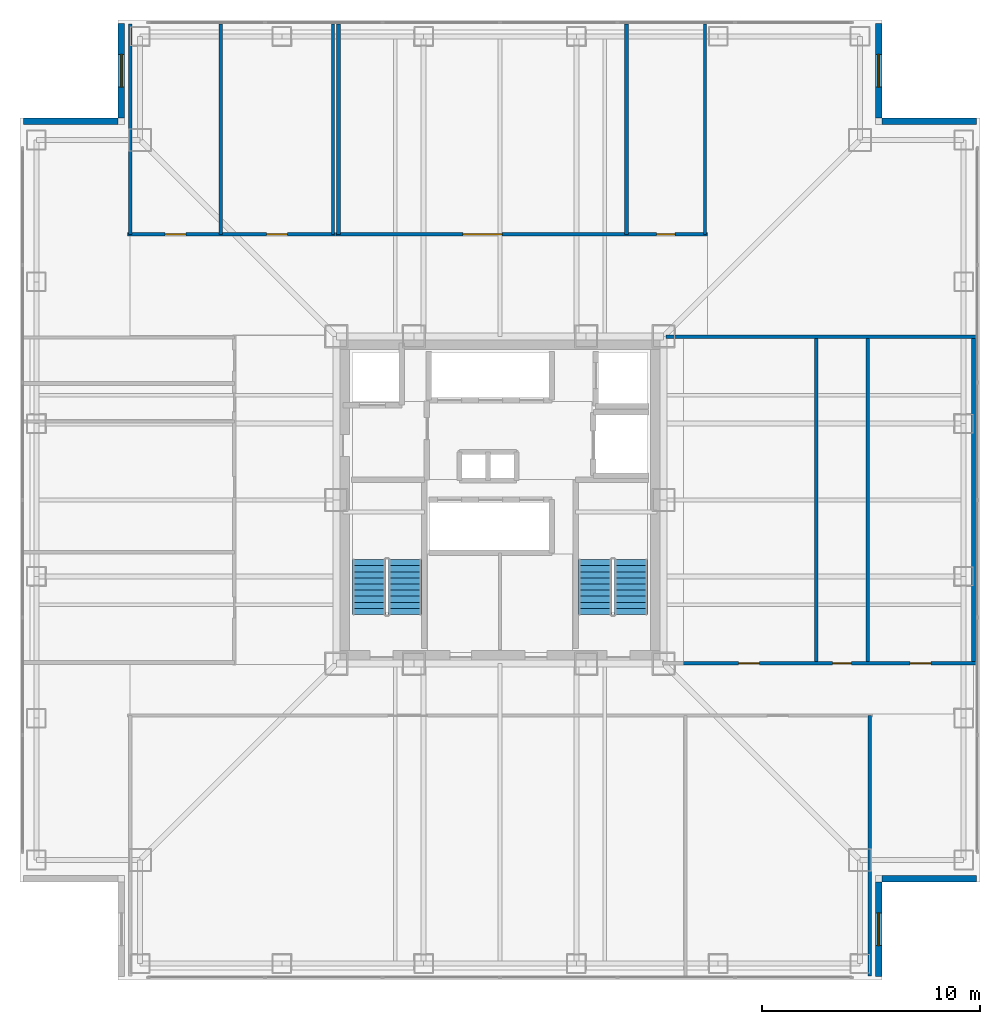
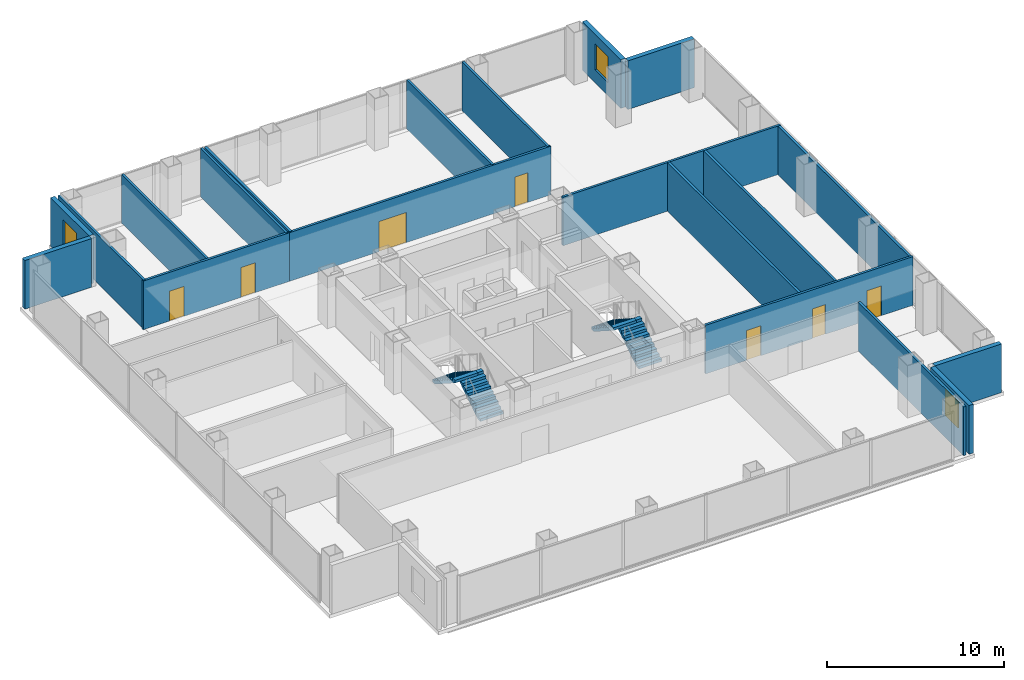
# One storey, part 11 of 14: 20 walls, 7 doors, 4 stair flights, 3 windows, 10 openings, 2 elements without a shape of their own.
"""IFC4 building model written with IfcOpenShell, lengths in metres."""

import ifcopenshell
import ifcopenshell.guid

model = None  # the IFC model being written
_history = None  # IfcOwnerHistory: only IFC2X3 demands one
_inside = {}  # id of a spatial element -> (the spatial element, [elements in it])
_under = {}  # id of a project, library or spatial element -> (it, [spatial elements below it])
_declared = {}  # id of a project -> (the project, [libraries it declares])
_typed = {}  # id of a type object -> (the type object, [elements of that type])
_made_of = {}  # id of a material, layer set ... -> (it, [elements and type objects made of it])


def new_model(schema):
    """Start an empty IFC model of exactly this schema.

    Asked for "IFC4X3", IfcOpenShell would pick the latest addendum, in which some entities
    have other attributes; the version numbers below select the first issue.
    IFC2X3 requires an IfcOwnerHistory on every rooted entity: one is made here for all.
    """
    global model, _history
    if schema == "IFC4X3":
        model = ifcopenshell.file(schema_version=(4, 3, 0, 0))
    else:
        model = ifcopenshell.file(schema=schema)
    _inside.clear()
    _under.clear()
    _declared.clear()
    _typed.clear()
    _made_of.clear()
    _history = None
    if model.schema == "IFC2X3":
        org = make("IfcOrganization", Name="unknown")
        user = make(
            "IfcPersonAndOrganization",
            ThePerson=make("IfcPerson", FamilyName="unknown"),
            TheOrganization=org,
        )
        app = make(
            "IfcApplication",
            ApplicationDeveloper=org,
            Version="unknown",
            ApplicationFullName="unknown",
            ApplicationIdentifier="unknown",
        )
        _history = make(
            "IfcOwnerHistory",
            OwningUser=user,
            OwningApplication=app,
            ChangeAction="ADDED",
            CreationDate=0,
        )
    return model


def make(cls, **values):
    """One entity of the class cls with the attributes given. An attribute that is None is left unset."""
    return model.create_entity(
        cls, **{name: value for name, value in values.items() if value is not None}
    )


def rooted(cls, **values):
    """An entity with a GlobalId (a new one), such as an element, a storey or a relation."""
    return make(cls, GlobalId=ifcopenshell.guid.new(), OwnerHistory=_history, **values)


def si_unit(unit_type, name, prefix=None):
    """IfcSIUnit, for example si_unit("LENGTHUNIT", "METRE", prefix="MILLI")."""
    return make("IfcSIUnit", UnitType=unit_type, Prefix=prefix, Name=name)


def assignment(units):
    """IfcUnitAssignment: the units of a project."""
    return None if units is None else make("IfcUnitAssignment", Units=units)


def point(xyz):
    """IfcCartesianPoint."""
    return None if xyz is None else make("IfcCartesianPoint", Coordinates=xyz)


def direction(xyz):
    """IfcDirection."""
    return None if xyz is None else make("IfcDirection", DirectionRatios=xyz)


def frame(location, z_axis=None, x_axis=None):
    """IfcAxis2Placement3D, a coordinate frame: its origin and axes. An axis left out is left unset."""
    return make(
        "IfcAxis2Placement3D",
        Location=point(location),
        Axis=direction(z_axis),
        RefDirection=direction(x_axis),
    )


def frame_2d(location, x_axis=None):
    """IfcAxis2Placement2D, a coordinate frame in the plane: its origin and x axis."""
    return make(
        "IfcAxis2Placement2D", Location=point(location), RefDirection=direction(x_axis)
    )


def origin():
    """The frame at (0, 0, 0) with its axes left unset."""
    return frame((0.0, 0.0, 0.0))


def place(relative_to, where):
    """IfcLocalPlacement: puts the frame where relative to a parent placement (None: the world)."""
    return make(
        "IfcLocalPlacement", PlacementRelTo=relative_to, RelativePlacement=where
    )


def context(
    kind, dimensions, precision=None, world=None, true_north=None, identifier=None
):
    """IfcGeometricRepresentationContext, for example the 3D "Model" context."""
    return make(
        "IfcGeometricRepresentationContext",
        ContextIdentifier=identifier,
        ContextType=kind,
        CoordinateSpaceDimension=dimensions,
        Precision=precision,
        WorldCoordinateSystem=world,
        TrueNorth=true_north,
    )


def subcontext(parent, identifier, kind, view, scale=None):
    """IfcGeometricRepresentationSubContext, for example "Body" below "Model"."""
    return make(
        "IfcGeometricRepresentationSubContext",
        ContextIdentifier=identifier,
        ContextType=kind,
        ParentContext=parent,
        TargetScale=scale,
        TargetView=view,
    )


def project(units=None, contexts=None):
    """IfcProject with its units and contexts."""
    return rooted(
        "IfcProject",
        Name="project",
        RepresentationContexts=contexts,
        UnitsInContext=assignment(units),
    )


def spatial(cls, under=None, at=None, **own):
    """A site, building, storey or space (cls), placed at a placement, below another one or the project."""
    s = rooted(cls, ObjectPlacement=at, **own)
    if under is not None:
        _under.setdefault(under.id(), (under, []))[1].append(s)
    return s


def polyline(points):
    """IfcPolyline through the points."""
    return make("IfcPolyline", Points=[point(p) for p in points])


def profile(cls, at=None, kind="AREA", **sizes):
    """A parametric profile (cls). Its sizes go by their IFC names, for example OverallWidth=200.0."""
    return make(cls, ProfileType=kind, Position=at, **sizes)


def rectangle(**sizes):
    """IfcRectangleProfileDef."""
    return profile("IfcRectangleProfileDef", **sizes)


def outline(outer, holes=None, kind="AREA"):
    """IfcArbitraryClosedProfileDef: a profile drawn as a closed curve; with holes, ...WithVoids."""
    if holes is None:
        return make("IfcArbitraryClosedProfileDef", ProfileType=kind, OuterCurve=outer)
    return make(
        "IfcArbitraryProfileDefWithVoids",
        ProfileType=kind,
        OuterCurve=outer,
        InnerCurves=holes,
    )


def extrude(swept, where, along, depth):
    """IfcExtrudedAreaSolid: the profile swept, set in the frame where, extruded along a direction by depth."""
    return make(
        "IfcExtrudedAreaSolid",
        SweptArea=swept,
        Position=where,
        ExtrudedDirection=direction(along),
        Depth=depth,
    )


def shape(context_of_items, identifier, shape_type, items):
    """IfcShapeRepresentation: the items that make up one representation, for example the "Body"."""
    return make(
        "IfcShapeRepresentation",
        ContextOfItems=context_of_items,
        RepresentationIdentifier=identifier,
        RepresentationType=shape_type,
        Items=items,
    )


def material(Name=None, Category=None):
    """IfcMaterial."""
    return make("IfcMaterial", Name=Name, Category=Category)


def layer(
    of_material, thickness, ventilated=None, Name=None, Category=None, Priority=None
):
    """IfcMaterialLayer: one layer of a wall or slab, of a material (None: an air gap)."""
    return make(
        "IfcMaterialLayer",
        Material=of_material,
        LayerThickness=thickness,
        IsVentilated=ventilated,
        Name=Name,
        Category=Category,
        Priority=Priority,
    )


def layer_set(layers, Name=None):
    """IfcMaterialLayerSet."""
    return make("IfcMaterialLayerSet", MaterialLayers=layers, LayerSetName=Name)


def made_of(thing, what):
    """Note that an element or type object is made of a material, layer set ...; save() writes the relation."""
    if what is not None:
        _made_of.setdefault(what.id(), (what, []))[1].append(thing)
    return thing


def type_object(cls, material=None, **own):
    """A type object (cls), such as IfcWallType, which elements share."""
    return made_of(rooted(cls, **own), material)


def element(
    cls,
    number,
    at=None,
    inside=None,
    cuts=None,
    type_object=None,
    material=None,
    context=None,
    identifier="Body",
    shape_type=None,
    held_by="IfcProductDefinitionShape",
    body=None,
    shapes=None,
    **own,
):
    """One element of the class cls, such as IfcWall. Its Tag is "e" and its number.

    at: its placement. inside: the storey or other place that contains it. cuts: it is an
    opening in that element (IfcRelVoidsElement). A single representation is given by context,
    identifier, shape_type and body (its items); several are given by shapes. held_by: the class
    of the entity that holds the representations. save() writes the other relations.
    """
    e = rooted(cls, Tag="e%d" % number, ObjectPlacement=at, **own)
    if body is not None:
        shapes = [shape(context, identifier, shape_type, body)]
    if shapes is not None:
        e.Representation = make(held_by, Representations=shapes)
    if inside is not None:
        _inside.setdefault(inside.id(), (inside, []))[1].append(e)
    if cuts is not None:
        rooted(
            "IfcRelVoidsElement", RelatingBuildingElement=cuts, RelatedOpeningElement=e
        )
    if type_object is not None:
        _typed.setdefault(type_object.id(), (type_object, []))[1].append(e)
    return made_of(e, material)


def fill(opening, filler):
    """IfcRelFillsElement: the door or window that sits in an opening."""
    return rooted(
        "IfcRelFillsElement",
        RelatingOpeningElement=opening,
        RelatedBuildingElement=filler,
    )


def aggregate(whole, parts):
    """IfcRelAggregates: a whole, such as a stair, and the parts it consists of."""
    return rooted("IfcRelAggregates", RelatingObject=whole, RelatedObjects=parts)


def save(model, path):
    """Write the relations noted so far, then the file.

    IfcRelAggregates (storeys below a building ...), IfcRelContainedInSpatialStructure (elements
    in a storey), IfcRelDefinesByType, IfcRelAssociatesMaterial and IfcRelDeclares: one each for
    every whole, place, type object, material and project.
    """
    for whole, parts in _under.values():
        aggregate(whole, parts)
    for where, things in _inside.values():
        rooted(
            "IfcRelContainedInSpatialStructure",
            RelatedElements=things,
            RelatingStructure=where,
        )
    for kind, things in _typed.values():
        rooted("IfcRelDefinesByType", RelatedObjects=things, RelatingType=kind)
    for what, things in _made_of.values():
        rooted("IfcRelAssociatesMaterial", RelatedObjects=things, RelatingMaterial=what)
    for by, libraries in _declared.values():
        rooted("IfcRelDeclares", RelatingContext=by, RelatedDefinitions=libraries)
    model.write(path)


model = new_model("IFC4")

# Units and contexts
model_context = context("Model", 3, precision=1e-05, world=origin(), true_north=direction((0.0, 1.0)))
body_context = subcontext(model_context, "Body", "Model", "MODEL_VIEW")
ifc_project = project(units=[si_unit("LENGTHUNIT", "METRE"), si_unit("AREAUNIT", "SQUARE_METRE"), si_unit("VOLUMEUNIT", "CUBIC_METRE"), si_unit("PLANEANGLEUNIT", "RADIAN"), si_unit("MASSUNIT", "GRAM", prefix="KILO")], contexts=[model_context])

# Site, building, storey
site_placement = place(None, origin())
site = spatial("IfcSite", under=ifc_project, at=site_placement, CompositionType="ELEMENT")
building_placement = place(site_placement, origin())
building = spatial("IfcBuilding", under=site, at=building_placement, Name="Trevonay Congress Spire", CompositionType="ELEMENT")
storey_placement = place(building_placement, frame((0.0, 0.0, 140.800048828125)))
storey = spatial("IfcBuildingStorey", under=building, at=storey_placement, Name="L36", CompositionType="ELEMENT", Elevation=140.800048828125)

# Wall, openings, doors
ifc_material_1 = material(Name="Concrete C40/50", Category="concrete")
ifc_layer_1 = layer(ifc_material_1, 0.14990234375, Name="Concrete C40/50")
ifc_layer_set_1 = layer_set([ifc_layer_1], Name="Concrete C40/50")
wall_type_1 = type_object("IfcWallType", Name="WAL-CORR-150", PredefinedType="PARTITIONING", material=ifc_layer_set_1)
wall_1_placement = place(storey_placement, frame((-17.070068359375, 12.179931640625, 0.0), z_axis=(0.0, 0.0, 1.0), x_axis=(1.0, 0.0, 0.0)))
wall_1 = element("IfcWall", 1, at=wall_1_placement, inside=storey, type_object=wall_type_1, Name="L36 interior wall WP-L36NW-COR", PredefinedType="PARTITIONING", context=body_context, shape_type="SweptSolid", body=[
    extrude(rectangle(XDim=9.5400390625, YDim=0.14990234375, at=frame_2d((4.77001953125, 0.0))), origin(), (0.0, 0.0, 1.0), 3.35986328125),
])
opening_1_placement = place(wall_1_placement, frame((1.719970703125, 0.0, 0.0)))
opening_1 = element("IfcOpeningElement", 2, at=opening_1_placement, cuts=wall_1, Name="Opening D07", PredefinedType="OPENING", context=body_context, shape_type="SweptSolid", body=[
    extrude(rectangle(XDim=0.949951171875, YDim=2.06005859375, at=frame_2d((0.47509765625, 1.030029296875))), frame((0.0, 0.0849609375, 0.0), z_axis=(0.0, -1.0, 0.0), x_axis=(1.0, 0.0, 0.0)), (0.0, 0.0, 1.0), 0.169921875),
])
opening_2_placement = place(wall_1_placement, frame((6.3701171875, 0.0, 0.0)))
opening_2 = element("IfcOpeningElement", 3, at=opening_2_placement, cuts=wall_1, Name="Opening D07", PredefinedType="OPENING", context=body_context, shape_type="SweptSolid", body=[
    extrude(rectangle(XDim=0.949951171875, YDim=2.06005859375, at=frame_2d((0.47509765625, 1.030029296875))), frame((0.0, 0.0849609375, 0.0), z_axis=(0.0, -1.0, 0.0), x_axis=(1.0, 0.0, 0.0)), (0.0, 0.0, 1.0), 0.169921875),
])
ifc_material_2 = material(Name="Pale Anodised Aluminium EN AW-6063-T6", Category="aluminium")
door_type_1 = type_object("IfcDoorType", Name="DOR-OFFICE-95", OperationType="NOTDEFINED", PredefinedType="DOOR", material=ifc_material_2)
door_1_placement = place(opening_1_placement, origin())
door_1 = element("IfcDoor", 4, at=door_1_placement, inside=storey, type_object=door_type_1, Name="L36 Podcast Production Office Door", OperationType="SINGLE_SWING_RIGHT", OverallHeight=2.06005859375, OverallWidth=0.949951171875, PredefinedType="DOOR", context=body_context, shape_type="SweptSolid", body=[
    extrude(rectangle(XDim=0.949951171875, YDim=2.06005859375, at=frame_2d((0.47509765625, 1.030029296875))), frame((0.0, 0.02490234375, 0.0), z_axis=(0.0, -1.0, 0.0), x_axis=(1.0, 0.0, 0.0)), (0.0, 0.0, 1.0), 0.050048828125),
])
fill(opening_1, door_1)
door_2_placement = place(opening_2_placement, origin())
door_2 = element("IfcDoor", 5, at=door_2_placement, inside=storey, type_object=door_type_1, Name="L36 Audio Editing Office Door", OperationType="SINGLE_SWING_LEFT", OverallHeight=2.06005859375, OverallWidth=0.949951171875, PredefinedType="DOOR", context=body_context, shape_type="SweptSolid", body=[
    extrude(rectangle(XDim=0.949951171875, YDim=2.06005859375, at=frame_2d((0.47509765625, 1.030029296875))), frame((0.0, 0.02490234375, 0.0), z_axis=(0.0, -1.0, 0.0), x_axis=(1.0, 0.0, 0.0)), (0.0, 0.0, 1.0), 0.050048828125),
])
fill(opening_2, door_2)

wall_2_placement = place(storey_placement, frame((-7.52001953125, 12.179931640625, 0.0), z_axis=(0.0, 0.0, 1.0), x_axis=(1.0, 0.0, 0.0)))
wall_2 = element("IfcWall", 6, at=wall_2_placement, inside=storey, type_object=wall_type_1, Name="L36 interior wall WP-L36NE-COR", PredefinedType="PARTITIONING", context=body_context, shape_type="SweptSolid", body=[
    extrude(rectangle(XDim=17.0400390625, YDim=0.14990234375, at=frame_2d((8.52001953125, 0.0))), origin(), (0.0, 0.0, 1.0), 3.35986328125),
])
opening_3_placement = place(wall_2_placement, frame((5.820068359375, 0.0, 0.0)))
opening_3 = element("IfcOpeningElement", 7, at=opening_3_placement, cuts=wall_2, Name="Opening D09", PredefinedType="OPENING", context=body_context, shape_type="SweptSolid", body=[
    extrude(rectangle(XDim=1.800048828125, YDim=2.080078125, at=frame_2d((0.89990234375, 1.0400390625))), frame((0.0, 0.0849609375, 0.0), z_axis=(0.0, -1.0, 0.0), x_axis=(1.0, 0.0, 0.0)), (0.0, 0.0, 1.0), 0.169921875),
])
opening_4_placement = place(wall_2_placement, frame((14.695068359375, 0.0, 0.0)))
opening_4 = element("IfcOpeningElement", 8, at=opening_4_placement, cuts=wall_2, Name="Opening D10", PredefinedType="OPENING", context=body_context, shape_type="SweptSolid", body=[
    extrude(rectangle(XDim=0.85009765625, YDim=2.050048828125, at=frame_2d((0.425048828125, 1.02490234375))), frame((0.0, 0.0849609375, 0.0), z_axis=(0.0, -1.0, 0.0), x_axis=(1.0, 0.0, 0.0)), (0.0, 0.0, 1.0), 0.169921875),
])
door_type_2 = type_object("IfcDoorType", Name="DOR-CONF-DBL", OperationType="DOUBLE_DOOR_SINGLE_SWING", PredefinedType="DOOR", material=ifc_material_2)
door_3_placement = place(opening_3_placement, origin())
door_3 = element("IfcDoor", 9, at=door_3_placement, inside=storey, type_object=door_type_2, Name="L36 Photography Exhibition Salon Door", OperationType="DOUBLE_DOOR_SINGLE_SWING", OverallHeight=2.080078125, OverallWidth=1.800048828125, PredefinedType="DOOR", context=body_context, shape_type="SweptSolid", body=[
    extrude(rectangle(XDim=1.800048828125, YDim=2.080078125, at=frame_2d((0.89990234375, 1.0400390625))), frame((0.0, 0.02490234375, 0.0), z_axis=(0.0, -1.0, 0.0), x_axis=(1.0, 0.0, 0.0)), (0.0, 0.0, 1.0), 0.050048828125),
])
fill(opening_3, door_3)
door_type_3 = type_object("IfcDoorType", Name="DOR-WC-85", OperationType="NOTDEFINED", PredefinedType="DOOR", material=ifc_material_2)
door_4_placement = place(opening_4_placement, origin())
door_4 = element("IfcDoor", 10, at=door_4_placement, inside=storey, type_object=door_type_3, Name="L36 Female Restroom WC Door", OperationType="SINGLE_SWING_RIGHT", OverallHeight=2.050048828125, OverallWidth=0.85009765625, PredefinedType="DOOR", context=body_context, shape_type="SweptSolid", body=[
    extrude(rectangle(XDim=0.85009765625, YDim=2.050048828125, at=frame_2d((0.425048828125, 1.02490234375))), frame((0.0, 0.02490234375, 0.0), z_axis=(0.0, -1.0, 0.0), x_axis=(1.0, 0.0, 0.0)), (0.0, 0.0, 1.0), 0.050048828125),
])
fill(opening_4, door_4)

wall_3_placement = place(storey_placement, frame((8.280029296875, -7.47998046875, 0.0), z_axis=(0.0, 0.0, 1.0), x_axis=(1.0, 0.0, 0.0)))
wall_3 = element("IfcWall", 11, at=wall_3_placement, inside=storey, type_object=wall_type_1, Name="L36 interior wall WP-L36E-COR", PredefinedType="PARTITIONING", context=body_context, shape_type="SweptSolid", body=[
    extrude(rectangle(XDim=13.5400390625, YDim=0.14990234375, at=frame_2d((6.77001953125, 0.0))), origin(), (0.0, 0.0, 1.0), 3.35986328125),
])
opening_5_placement = place(wall_3_placement, frame((2.655029296875, 0.0, 0.0)))
opening_5 = element("IfcOpeningElement", 12, at=opening_5_placement, cuts=wall_3, Name="Opening D07", PredefinedType="OPENING", context=body_context, shape_type="SweptSolid", body=[
    extrude(rectangle(XDim=0.949951171875, YDim=2.06005859375, at=frame_2d((0.47509765625, 1.030029296875))), frame((0.0, 0.0849609375, 0.0), z_axis=(0.0, -1.0, 0.0), x_axis=(1.0, 0.0, 0.0)), (0.0, 0.0, 1.0), 0.169921875),
])
opening_6_placement = place(wall_3_placement, frame((6.969970703125, 0.0, 0.0)))
opening_6 = element("IfcOpeningElement", 13, at=opening_6_placement, cuts=wall_3, Name="Opening D10", PredefinedType="OPENING", context=body_context, shape_type="SweptSolid", body=[
    extrude(rectangle(XDim=0.85009765625, YDim=2.050048828125, at=frame_2d((0.425048828125, 1.02490234375))), frame((0.0, 0.0849609375, 0.0), z_axis=(0.0, -1.0, 0.0), x_axis=(1.0, 0.0, 0.0)), (0.0, 0.0, 1.0), 0.169921875),
])
opening_7_placement = place(wall_3_placement, frame((10.52001953125, 0.0, 0.0)))
opening_7 = element("IfcOpeningElement", 14, at=opening_7_placement, cuts=wall_3, Name="Opening D07", PredefinedType="OPENING", context=body_context, shape_type="SweptSolid", body=[
    extrude(rectangle(XDim=0.949951171875, YDim=2.06005859375, at=frame_2d((0.47509765625, 1.030029296875))), frame((0.0, 0.0849609375, 0.0), z_axis=(0.0, -1.0, 0.0), x_axis=(1.0, 0.0, 0.0)), (0.0, 0.0, 1.0), 0.169921875),
])
door_5_placement = place(opening_5_placement, origin())
door_5 = element("IfcDoor", 15, at=door_5_placement, inside=storey, type_object=door_type_1, Name="L36 Broadcast Equipment Store Door", OperationType="SINGLE_SWING_LEFT", OverallHeight=2.06005859375, OverallWidth=0.949951171875, PredefinedType="DOOR", context=body_context, shape_type="SweptSolid", body=[
    extrude(rectangle(XDim=0.949951171875, YDim=2.06005859375, at=frame_2d((0.47509765625, 1.030029296875))), frame((0.0, 0.02490234375, 0.0), z_axis=(0.0, -1.0, 0.0), x_axis=(1.0, 0.0, 0.0)), (0.0, 0.0, 1.0), 0.050048828125),
])
fill(opening_5, door_5)
door_6_placement = place(opening_7_placement, origin())
door_6 = element("IfcDoor", 16, at=door_6_placement, inside=storey, type_object=door_type_1, Name="L36 Floor Supplies and Copy Room Door", OperationType="SINGLE_SWING_LEFT", OverallHeight=2.06005859375, OverallWidth=0.949951171875, PredefinedType="DOOR", context=body_context, shape_type="SweptSolid", body=[
    extrude(rectangle(XDim=0.949951171875, YDim=2.06005859375, at=frame_2d((0.47509765625, 1.030029296875))), frame((0.0, 0.02490234375, 0.0), z_axis=(0.0, -1.0, 0.0), x_axis=(1.0, 0.0, 0.0)), (0.0, 0.0, 1.0), 0.050048828125),
])
fill(opening_7, door_6)
door_7_placement = place(opening_6_placement, origin())
door_7 = element("IfcDoor", 17, at=door_7_placement, inside=storey, type_object=door_type_3, Name="L36 Male Restroom WC Door", OperationType="SINGLE_SWING_RIGHT", OverallHeight=2.050048828125, OverallWidth=0.85009765625, PredefinedType="DOOR", context=body_context, shape_type="SweptSolid", body=[
    extrude(rectangle(XDim=0.85009765625, YDim=2.050048828125, at=frame_2d((0.425048828125, 1.02490234375))), frame((0.0, 0.02490234375, 0.0), z_axis=(0.0, -1.0, 0.0), x_axis=(1.0, 0.0, 0.0)), (0.0, 0.0, 1.0), 0.050048828125),
])
fill(opening_6, door_7)

# Wall, opening, window
ifc_material_3 = material(Name="Precast concrete C40/50", Category="concrete")
ifc_layer_2 = layer(ifc_material_3, 0.300048828125, Name="Precast concrete C40/50")
ifc_layer_set_2 = layer_set([ifc_layer_2], Name="Precast concrete C40/50")
wall_type_2 = type_object("IfcWallType", Name="WAL-EXT-PRECAST-300", PredefinedType="SOLIDWALL", material=ifc_layer_set_2)
wall_4_placement = place(storey_placement, frame((17.35009765625, -21.85009765625, 0.0), z_axis=(0.0, 0.0, 1.0), x_axis=(0.0, 1.0, 0.0)))
wall_4 = element("IfcWall", 18, at=wall_4_placement, inside=storey, type_object=wall_type_2, Name="L36 SE re-entrant notch exterior wall 1", PredefinedType="SOLIDWALL", context=body_context, shape_type="SweptSolid", body=[
    extrude(rectangle(XDim=4.35009765625, YDim=0.300048828125, at=frame_2d((2.175048828125, 0.0))), origin(), (0.0, 0.0, 1.0), 3.35986328125),
])
opening_8_placement = place(wall_4_placement, frame((1.425048828125, 0.0, 0.89990234375)))
opening_8 = element("IfcOpeningElement", 19, at=opening_8_placement, cuts=wall_4, Name="Opening WN03", PredefinedType="OPENING", context=body_context, shape_type="SweptSolid", body=[
    extrude(rectangle(XDim=1.5, YDim=1.800048828125, at=frame_2d((0.75, 0.89990234375))), frame((0.0, 0.16015625, 0.0), z_axis=(0.0, -1.0, 0.0), x_axis=(1.0, 0.0, 0.0)), (0.0, 0.0, 1.0), 0.320068359375),
])
ifc_material_4 = material(Name="Insulated Low-E Vision Glass IGU", Category="glass")
window_type = type_object("IfcWindowType", Name="WIN-NOTCH-150X180", PartitioningType="SINGLE_PANEL", PredefinedType="WINDOW", material=ifc_material_4)
window_1_placement = place(opening_8_placement, origin())
window_1 = element("IfcWindow", 20, at=window_1_placement, inside=storey, type_object=window_type, Name="L36 SE corner notch window", OverallHeight=1.800048828125, OverallWidth=1.5, PartitioningType="SINGLE_PANEL", PredefinedType="WINDOW", context=body_context, shape_type="SweptSolid", body=[
    extrude(rectangle(XDim=1.5, YDim=1.800048828125, at=frame_2d((0.75, 0.89990234375))), frame((0.0, 0.030029296875, 0.0), z_axis=(0.0, -1.0, 0.0), x_axis=(1.0, 0.0, 0.0)), (0.0, 0.0, 1.0), 0.06005859375),
])
fill(opening_8, window_1)

# Wall
wall_5_placement = place(storey_placement, frame((21.85009765625, -17.35009765625, 0.0), z_axis=(0.0, 0.0, 1.0), x_axis=(-1.0, 0.0, 0.0)))
element("IfcWall", 21, at=wall_5_placement, inside=storey, type_object=wall_type_2, Name="L36 SE re-entrant notch exterior wall 2", PredefinedType="SOLIDWALL", context=body_context, shape_type="SweptSolid", body=[
    extrude(rectangle(XDim=4.35009765625, YDim=0.300048828125, at=frame_2d((2.175048828125, 0.0))), origin(), (0.0, 0.0, 1.0), 3.35986328125),
])

# Wall, opening, window
wall_6_placement = place(storey_placement, frame((17.35009765625, 21.85009765625, 0.0), z_axis=(0.0, 0.0, 1.0), x_axis=(0.0, -1.0, 0.0)))
wall_6 = element("IfcWall", 22, at=wall_6_placement, inside=storey, type_object=wall_type_2, Name="L36 NE re-entrant notch exterior wall 1", PredefinedType="SOLIDWALL", context=body_context, shape_type="SweptSolid", body=[
    extrude(rectangle(XDim=4.35009765625, YDim=0.300048828125, at=frame_2d((2.175048828125, 0.0))), origin(), (0.0, 0.0, 1.0), 3.35986328125),
])
opening_9_placement = place(wall_6_placement, frame((1.425048828125, 0.0, 0.89990234375)))
opening_9 = element("IfcOpeningElement", 23, at=opening_9_placement, cuts=wall_6, Name="Opening WN03", PredefinedType="OPENING", context=body_context, shape_type="SweptSolid", body=[
    extrude(rectangle(XDim=1.5, YDim=1.800048828125, at=frame_2d((0.75, 0.89990234375))), frame((0.0, 0.16015625, 0.0), z_axis=(0.0, -1.0, 0.0), x_axis=(1.0, 0.0, 0.0)), (0.0, 0.0, 1.0), 0.320068359375),
])
window_2_placement = place(opening_9_placement, origin())
window_2 = element("IfcWindow", 24, at=window_2_placement, inside=storey, type_object=window_type, Name="L36 NE corner notch window", OverallHeight=1.800048828125, OverallWidth=1.5, PartitioningType="SINGLE_PANEL", PredefinedType="WINDOW", context=body_context, shape_type="SweptSolid", body=[
    extrude(rectangle(XDim=1.5, YDim=1.800048828125, at=frame_2d((0.75, 0.89990234375))), frame((0.0, 0.030029296875, 0.0), z_axis=(0.0, -1.0, 0.0), x_axis=(1.0, 0.0, 0.0)), (0.0, 0.0, 1.0), 0.06005859375),
])
fill(opening_9, window_2)

# Wall
wall_7_placement = place(storey_placement, frame((21.85009765625, 17.35009765625, 0.0), z_axis=(0.0, 0.0, 1.0), x_axis=(-1.0, 0.0, 0.0)))
element("IfcWall", 25, at=wall_7_placement, inside=storey, type_object=wall_type_2, Name="L36 NE re-entrant notch exterior wall 2", PredefinedType="SOLIDWALL", context=body_context, shape_type="SweptSolid", body=[
    extrude(rectangle(XDim=4.35009765625, YDim=0.300048828125, at=frame_2d((2.175048828125, 0.0))), origin(), (0.0, 0.0, 1.0), 3.35986328125),
])

# Wall, opening, window
wall_8_placement = place(storey_placement, frame((-17.35009765625, 21.85009765625, 0.0), z_axis=(0.0, 0.0, 1.0), x_axis=(0.0, -1.0, 0.0)))
wall_8 = element("IfcWall", 26, at=wall_8_placement, inside=storey, type_object=wall_type_2, Name="L36 NW re-entrant notch exterior wall 1", PredefinedType="SOLIDWALL", context=body_context, shape_type="SweptSolid", body=[
    extrude(rectangle(XDim=4.35009765625, YDim=0.300048828125, at=frame_2d((2.175048828125, 0.0))), origin(), (0.0, 0.0, 1.0), 3.35986328125),
])
opening_10_placement = place(wall_8_placement, frame((1.425048828125, 0.0, 0.89990234375)))
opening_10 = element("IfcOpeningElement", 27, at=opening_10_placement, cuts=wall_8, Name="Opening WN03", PredefinedType="OPENING", context=body_context, shape_type="SweptSolid", body=[
    extrude(rectangle(XDim=1.5, YDim=1.800048828125, at=frame_2d((0.75, 0.89990234375))), frame((0.0, 0.16015625, 0.0), z_axis=(0.0, -1.0, 0.0), x_axis=(1.0, 0.0, 0.0)), (0.0, 0.0, 1.0), 0.320068359375),
])
window_3_placement = place(opening_10_placement, origin())
window_3 = element("IfcWindow", 28, at=window_3_placement, inside=storey, type_object=window_type, Name="L36 NW corner notch window", OverallHeight=1.800048828125, OverallWidth=1.5, PartitioningType="SINGLE_PANEL", PredefinedType="WINDOW", context=body_context, shape_type="SweptSolid", body=[
    extrude(rectangle(XDim=1.5, YDim=1.800048828125, at=frame_2d((0.75, 0.89990234375))), frame((0.0, 0.030029296875, 0.0), z_axis=(0.0, -1.0, 0.0), x_axis=(1.0, 0.0, 0.0)), (0.0, 0.0, 1.0), 0.06005859375),
])
fill(opening_10, window_3)

# Walls
wall_9_placement = place(storey_placement, frame((-21.85009765625, 17.35009765625, 0.0), z_axis=(0.0, 0.0, 1.0), x_axis=(1.0, 0.0, 0.0)))
element("IfcWall", 29, at=wall_9_placement, inside=storey, type_object=wall_type_2, Name="L36 NW re-entrant notch exterior wall 2", PredefinedType="SOLIDWALL", context=body_context, shape_type="SweptSolid", body=[
    extrude(rectangle(XDim=4.35009765625, YDim=0.300048828125, at=frame_2d((2.175048828125, 0.0))), origin(), (0.0, 0.0, 1.0), 3.35986328125),
])
ifc_layer_3 = layer(ifc_material_1, 0.14990234375, Name="Concrete C40/50")
ifc_layer_set_3 = layer_set([ifc_layer_3], Name="Concrete C40/50")
wall_type_3 = type_object("IfcWallType", Name="WAL-PART-150", PredefinedType="PARTITIONING", material=ifc_layer_set_3)
wall_10_placement = place(storey_placement, frame((16.949951171875, -21.820068359375, 0.0), z_axis=(0.0, 0.0, 1.0), x_axis=(0.0, 1.0, 0.0)))
element("IfcWall", 30, at=wall_10_placement, inside=storey, type_object=wall_type_3, Name="L36 interior wall WP-L36S-DIV3", PredefinedType="PARTITIONING", context=body_context, shape_type="SweptSolid", body=[
    extrude(rectangle(XDim=11.940185546875, YDim=0.14990234375, at=frame_2d((5.97021484375, 0.0))), origin(), (0.0, 0.0, 1.0), 3.35986328125),
])
for number, where, z_axis, x_axis, name in (
    (31, (-16.949951171875, 12.179931640625, 0.0), (0.0, 0.0, 1.0), (0.0, 1.0, 0.0), "L36 interior wall WP-L36NW-DIV1"),
    (32, (-12.800048828125, 12.179931640625, 0.0), (0.0, 0.0, 1.0), (0.0, 1.0, 0.0), "L36 interior wall WP-L36NW-DIV2"),
    (33, (-7.64990234375, 12.179931640625, 0.0), (0.0, 0.0, 1.0), (0.0, 1.0, 0.0), "L36 interior wall WP-L36NW-DIV3"),
    (34, (9.39990234375, 12.179931640625, 0.0), (0.0, 0.0, 1.0), (0.0, 1.0, 0.0), "L36 interior wall WP-L36NE-DIV3"),
):
    element("IfcWall", number, at=place(storey_placement, frame(where, z_axis=z_axis, x_axis=x_axis)), inside=storey, type_object=wall_type_3, Name=name, PredefinedType="PARTITIONING", context=body_context, shape_type="SweptSolid", body=[
        extrude(rectangle(XDim=9.64013671875, YDim=0.14990234375, at=frame_2d((4.820068359375, 0.0))), origin(), (0.0, 0.0, 1.0), 3.35986328125),
    ])
wall_11_placement = place(storey_placement, frame((7.60009765625, 7.47998046875, 0.0), z_axis=(0.0, 0.0, 1.0), x_axis=(1.0, 0.0, 0.0)))
element("IfcWall", 35, at=wall_11_placement, inside=storey, type_object=wall_type_3, Name="L36 interior wall WP-L36E-NCLS", PredefinedType="PARTITIONING", context=body_context, shape_type="SweptSolid", body=[
    extrude(rectangle(XDim=14.219970703125, YDim=0.14990234375, at=frame_2d((7.10986328125, 0.0))), origin(), (0.0, 0.0, 1.0), 3.35986328125),
])
ifc_layer_4 = layer(ifc_material_1, 0.1650390625, Name="Concrete C40/50")
ifc_layer_set_4 = layer_set([ifc_layer_4], Name="Concrete C40/50")
wall_type_4 = type_object("IfcWallType", Name="WAL-WET-165", PredefinedType="PLUMBINGWALL", material=ifc_layer_set_4)
for number, where, z_axis, x_axis, name in (
    (36, (-7.39990234375, 12.179931640625, 0.0), (0.0, 0.0, 1.0), (0.0, 1.0, 0.0), "L36 interior wall WP-L36NE-DIV1"),
    (37, (5.800048828125, 12.179931640625, 0.0), (0.0, 0.0, 1.0), (0.0, 1.0, 0.0), "L36 interior wall WP-L36NE-DIV2"),
):
    element("IfcWall", number, at=place(storey_placement, frame(where, z_axis=z_axis, x_axis=x_axis)), inside=storey, type_object=wall_type_4, Name=name, PredefinedType="PLUMBINGWALL", context=body_context, shape_type="SweptSolid", body=[
        extrude(rectangle(XDim=9.64013671875, YDim=0.1650390625, at=frame_2d((4.820068359375, 0.0))), origin(), (0.0, 0.0, 1.0), 3.35986328125),
    ])
for number, where, z_axis, x_axis, name in (
    (38, (16.85009765625, -7.47998046875, 0.0), (0.0, 0.0, 1.0), (0.0, 1.0, 0.0), "L36 interior wall WP-L36E-WCS2"),
    (39, (14.5, -7.47998046875, 0.0), (0.0, 0.0, 1.0), (0.0, 1.0, 0.0), "L36 interior wall WP-L36E-DIV1"),
    (40, (21.699951171875, -7.47998046875, 0.0), (0.0, 0.0, 1.0), (0.0, 1.0, 0.0), "L36 interior wall WP-L36E-DIV2"),
):
    element("IfcWall", number, at=place(storey_placement, frame(where, z_axis=z_axis, x_axis=x_axis)), inside=storey, type_object=wall_type_4, Name=name, PredefinedType="PLUMBINGWALL", context=body_context, shape_type="SweptSolid", body=[
        extrude(rectangle(XDim=14.8798828125, YDim=0.1650390625, at=frame_2d((7.43994140625, 0.0))), origin(), (0.0, 0.0, 1.0), 3.35986328125),
    ])

# Stair, stair flights
stair_type_1 = type_object("IfcStairType", Name="STR-ST-1", PredefinedType="HALF_TURN_STAIR", material=ifc_material_1)
stair_1_placement = place(storey_placement, origin())
stair_1 = element("IfcStair", 41, at=stair_1_placement, inside=storey, type_object=stair_type_1, Name="L36 Protected Exit Stair ST-1", PredefinedType="HALF_TURN_STAIR")
stair_flight_type_1 = type_object("IfcStairFlightType", Name="SFL-ST-1", PredefinedType="STRAIGHT", material=ifc_material_1)
stair_flight_1_placement = place(storey_placement, frame((-4.35009765625, -5.25, 0.0), z_axis=(0.0, 0.0, 1.0), x_axis=(0.0, 1.0, 0.0)))
stair_flight_1 = element("IfcStairFlight", 42, at=stair_flight_1_placement, type_object=stair_flight_type_1, Name="ST-1 flight 1", NumberOfRisers=10, NumberOfTreads=9, PredefinedType="STRAIGHT", RiserHeight=0.18, TreadLength=0.28, context=body_context, shape_type="SweptSolid", body=[
    extrude(outline(polyline([(0.0, 0.0), (0.0, 0.179931640625), (0.280029296875, 0.179931640625), (0.280029296875, 0.360107421875), (0.56005859375, 0.360107421875), (0.56005859375, 0.5400390625), (0.840087890625, 0.5400390625), (0.840087890625, 0.719970703125), (1.1201171875, 0.719970703125), (1.1201171875, 0.89990234375), (1.39990234375, 0.89990234375), (1.39990234375, 1.080078125), (1.679931640625, 1.080078125), (1.679931640625, 1.260009765625), (1.9599609375, 1.260009765625), (1.9599609375, 1.43994140625), (2.239990234375, 1.43994140625), (2.239990234375, 1.6201171875), (2.52001953125, 1.6201171875), (2.52001953125, 1.800048828125), (2.52001953125, 1.44189453125), (0.277099609375, 0.0), (0.0, 0.0)])), frame((0.0, 0.75, 0.0), z_axis=(0.0, -1.0, 0.0), x_axis=(1.0, 0.0, 0.0)), (0.0, 0.0, 1.0), 1.5),
])
stair_flight_2_placement = place(storey_placement, frame((-6.0, -2.72998046875, 1.800048828125), z_axis=(0.0, 0.0, 1.0), x_axis=(0.0, -1.0, 0.0)))
stair_flight_2 = element("IfcStairFlight", 43, at=stair_flight_2_placement, type_object=stair_flight_type_1, Name="ST-1 flight 2", NumberOfRisers=10, NumberOfTreads=9, PredefinedType="STRAIGHT", RiserHeight=0.18, TreadLength=0.28, context=body_context, shape_type="SweptSolid", body=[
    extrude(outline(polyline([(0.0, 0.0), (0.0, 0.179931640625), (0.280029296875, 0.179931640625), (0.280029296875, 0.360107421875), (0.56005859375, 0.360107421875), (0.56005859375, 0.5400390625), (0.840087890625, 0.5400390625), (0.840087890625, 0.719970703125), (1.1201171875, 0.719970703125), (1.1201171875, 0.89990234375), (1.39990234375, 0.89990234375), (1.39990234375, 1.080078125), (1.679931640625, 1.080078125), (1.679931640625, 1.260009765625), (1.9599609375, 1.260009765625), (1.9599609375, 1.43994140625), (2.239990234375, 1.43994140625), (2.239990234375, 1.6201171875), (2.52001953125, 1.6201171875), (2.52001953125, 1.800048828125), (2.52001953125, 1.44189453125), (0.277099609375, 0.0), (0.0, 0.0)])), frame((0.0, 0.75, 0.0), z_axis=(0.0, -1.0, 0.0), x_axis=(1.0, 0.0, 0.0)), (0.0, 0.0, 1.0), 1.5),
])
aggregate(stair_1, [stair_flight_1, stair_flight_2])

stair_type_2 = type_object("IfcStairType", Name="STR-ST-2", PredefinedType="HALF_TURN_STAIR", material=ifc_material_1)
stair_2_placement = place(storey_placement, origin())
stair_2 = element("IfcStair", 44, at=stair_2_placement, inside=storey, type_object=stair_type_2, Name="L36 Protected Exit Stair ST-2", PredefinedType="HALF_TURN_STAIR")
stair_flight_type_2 = type_object("IfcStairFlightType", Name="SFL-ST-2", PredefinedType="STRAIGHT", material=ifc_material_1)
stair_flight_3_placement = place(storey_placement, frame((6.0, -5.25, 0.0), z_axis=(0.0, 0.0, 1.0), x_axis=(0.0, 1.0, 0.0)))
stair_flight_3 = element("IfcStairFlight", 45, at=stair_flight_3_placement, type_object=stair_flight_type_2, Name="ST-2 flight 1", NumberOfRisers=10, NumberOfTreads=9, PredefinedType="STRAIGHT", RiserHeight=0.18, TreadLength=0.28, context=body_context, shape_type="SweptSolid", body=[
    extrude(outline(polyline([(0.0, 0.0), (0.0, 0.179931640625), (0.280029296875, 0.179931640625), (0.280029296875, 0.360107421875), (0.56005859375, 0.360107421875), (0.56005859375, 0.5400390625), (0.840087890625, 0.5400390625), (0.840087890625, 0.719970703125), (1.1201171875, 0.719970703125), (1.1201171875, 0.89990234375), (1.39990234375, 0.89990234375), (1.39990234375, 1.080078125), (1.679931640625, 1.080078125), (1.679931640625, 1.260009765625), (1.9599609375, 1.260009765625), (1.9599609375, 1.43994140625), (2.239990234375, 1.43994140625), (2.239990234375, 1.6201171875), (2.52001953125, 1.6201171875), (2.52001953125, 1.800048828125), (2.52001953125, 1.44189453125), (0.277099609375, 0.0), (0.0, 0.0)])), frame((0.0, 0.75, 0.0), z_axis=(0.0, -1.0, 0.0), x_axis=(1.0, 0.0, 0.0)), (0.0, 0.0, 1.0), 1.5),
])
stair_flight_4_placement = place(storey_placement, frame((4.35009765625, -2.72998046875, 1.800048828125), z_axis=(0.0, 0.0, 1.0), x_axis=(0.0, -1.0, 0.0)))
stair_flight_4 = element("IfcStairFlight", 46, at=stair_flight_4_placement, type_object=stair_flight_type_2, Name="ST-2 flight 2", NumberOfRisers=10, NumberOfTreads=9, PredefinedType="STRAIGHT", RiserHeight=0.18, TreadLength=0.28, context=body_context, shape_type="SweptSolid", body=[
    extrude(outline(polyline([(0.0, 0.0), (0.0, 0.179931640625), (0.280029296875, 0.179931640625), (0.280029296875, 0.360107421875), (0.56005859375, 0.360107421875), (0.56005859375, 0.5400390625), (0.840087890625, 0.5400390625), (0.840087890625, 0.719970703125), (1.1201171875, 0.719970703125), (1.1201171875, 0.89990234375), (1.39990234375, 0.89990234375), (1.39990234375, 1.080078125), (1.679931640625, 1.080078125), (1.679931640625, 1.260009765625), (1.9599609375, 1.260009765625), (1.9599609375, 1.43994140625), (2.239990234375, 1.43994140625), (2.239990234375, 1.6201171875), (2.52001953125, 1.6201171875), (2.52001953125, 1.800048828125), (2.52001953125, 1.44189453125), (0.277099609375, 0.0), (0.0, 0.0)])), frame((0.0, 0.75, 0.0), z_axis=(0.0, -1.0, 0.0), x_axis=(1.0, 0.0, 0.0)), (0.0, 0.0, 1.0), 1.5),
])
aggregate(stair_2, [stair_flight_3, stair_flight_4])

save(model, "model.ifc")
